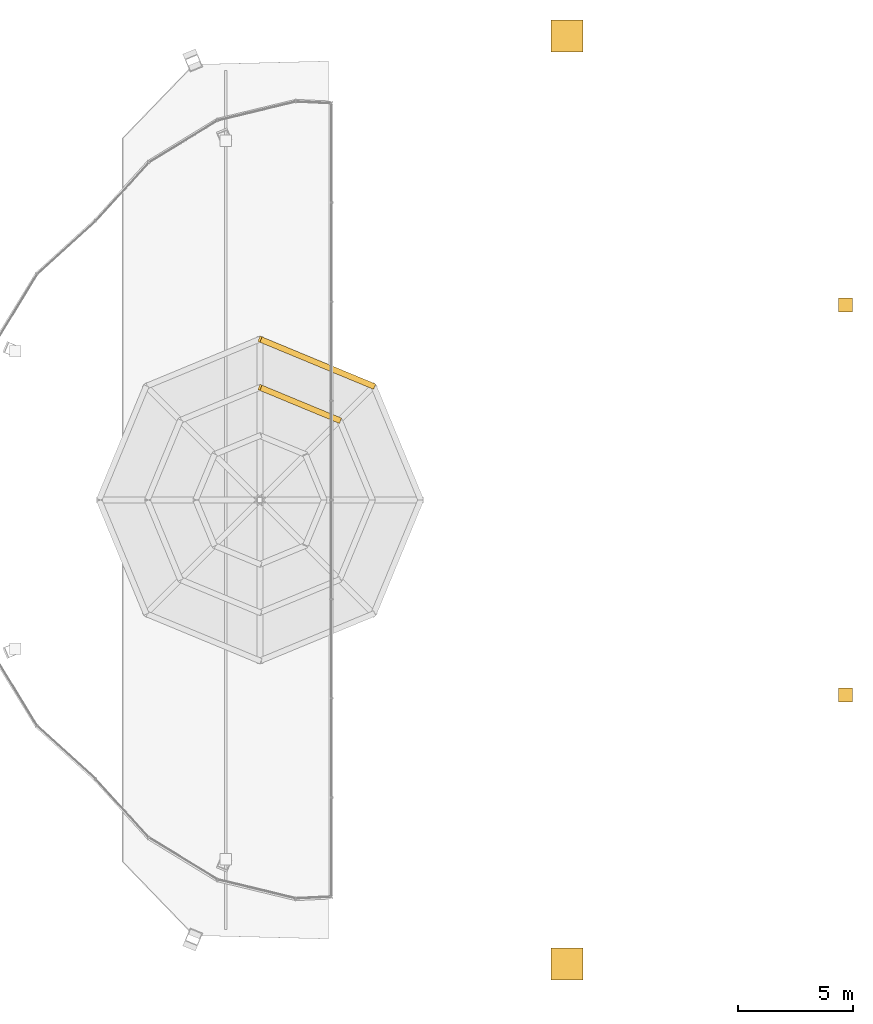
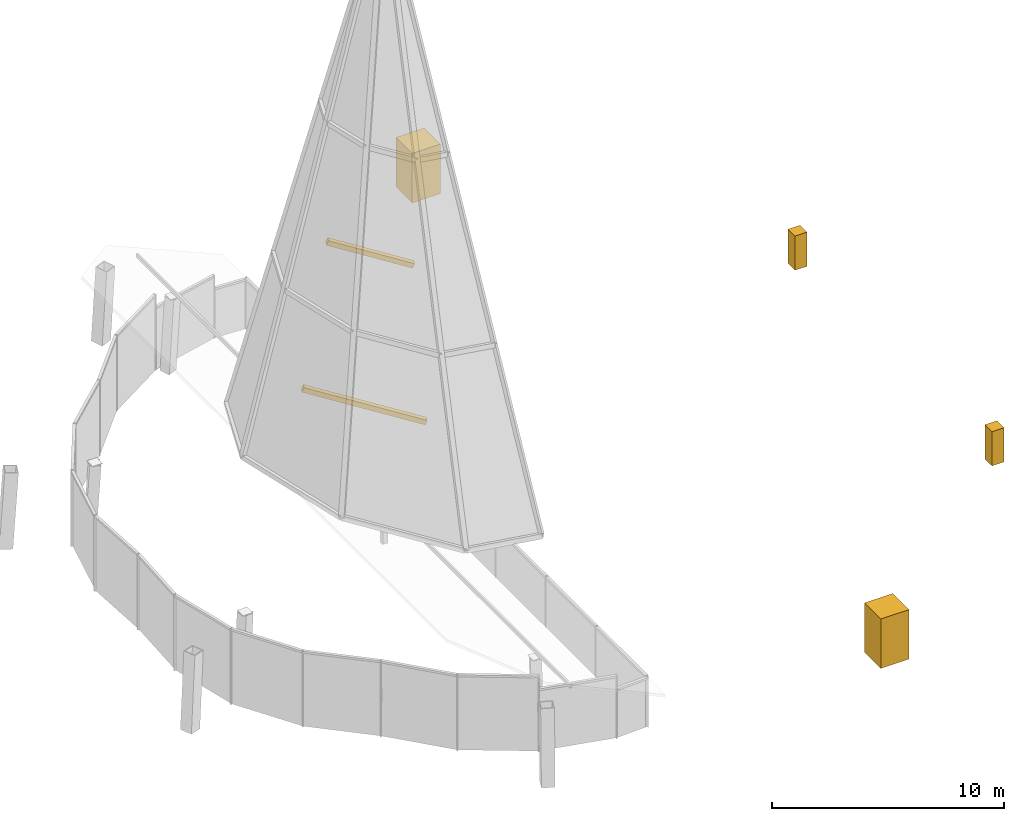
# One storey, part 16 of 16: 6 coverings.
"""IFC4 building model written with IfcOpenShell, lengths in metres."""

from ifc_helpers import new_model, si_unit, direction, frame, origin, origin_2d, place, context, subcontext, project, spatial, polyline, rectangle, outline, extrude, material, layer, layer_set, material_profile, profile_set, type_object, element, save


model = new_model("IFC4")

# Units and contexts
model_context = context("Model", 3, precision=1e-05, world=origin(), true_north=direction((0.0, 1.0)))
body_context = subcontext(model_context, "Body", "Model", "MODEL_VIEW")
ifc_project = project(units=[si_unit("LENGTHUNIT", "METRE"), si_unit("AREAUNIT", "SQUARE_METRE"), si_unit("VOLUMEUNIT", "CUBIC_METRE"), si_unit("PLANEANGLEUNIT", "RADIAN"), si_unit("MASSUNIT", "GRAM", prefix="KILO")], contexts=[model_context])

# Site, building, storey
site_placement = place(None, origin())
site = spatial("IfcSite", under=ifc_project, at=site_placement, CompositionType="ELEMENT")
building_placement = place(site_placement, origin())
building = spatial("IfcBuilding", under=site, at=building_placement, Name="Ogive Gate Towers", CompositionType="ELEMENT")
storey_placement = place(building_placement, frame((0.0, 0.0, 310.0)))
storey = spatial("IfcBuildingStorey", under=building, at=storey_placement, Name="L73", CompositionType="ELEMENT", Elevation=310.0)

# Coverings
ifc_material = material(Name="Cast stone", Category="masonry")
ifc_material_profile = material_profile(ifc_material, rectangle(XDim=0.25, YDim=0.25, at=origin_2d()), Name="250 x 250 cast stone")
ifc_profile_set = profile_set([ifc_material_profile], Name="Cast stone")
covering_type_1 = type_object("IfcCoveringType", Name="Lantern rib 250 x 250", PredefinedType="CLADDING", material=ifc_profile_set)
covering_1_placement = place(storey_placement, frame((35.94970703125, 4.94970703125, 1.653564453125), z_axis=(-0.853820831271, 0.353674032801, 0.381974693678), x_axis=(-0.382692543205, -0.923875758625, 0.0)))
element("IfcCovering", 1, at=covering_1_placement, inside=storey, type_object=covering_type_1, Name="Lantern base rib", PredefinedType="CLADDING", context=body_context, shape_type="SweptSolid", body=[
    extrude(rectangle(XDim=0.25, YDim=0.25, at=origin_2d()), origin(), (0.0, 0.0, 1.0), 5.797119140625),
])
covering_2_placement = place(storey_placement, frame((34.46484375, 3.46484375, 11.31787109375), z_axis=(-0.853834992004, 0.353638816446, 0.381975645732), x_axis=(-0.38265460032, -0.923891474608, 0.0)))
element("IfcCovering", 2, at=covering_2_placement, inside=storey, type_object=covering_type_1, Name="Lantern hoop rib", PredefinedType="CLADDING", context=body_context, shape_type="SweptSolid", body=[
    extrude(rectangle(XDim=0.25, YDim=0.25, at=origin_2d()), origin(), (0.0, 0.0, 1.0), 4.057861328125),
])
ifc_layer_1 = layer(ifc_material, 2.60009765625)
ifc_layer_set_1 = layer_set([ifc_layer_1], Name="Pinnacle tier 1400")
covering_type_2 = type_object("IfcCoveringType", Name="Pinnacle tier 1400", PredefinedType="CLADDING", material=ifc_layer_set_1)
covering_3_placement = place(storey_placement, frame((0.0, 0.0, 1.609130859375)))
element("IfcCovering", 3, at=covering_3_placement, inside=storey, type_object=covering_type_2, Name="Crown pinnacle", PredefinedType="CLADDING", context=body_context, shape_type="SweptSolid", body=[
    extrude(outline(polyline([(45.063232421875, 20.890625), (43.6630859375, 20.890625), (43.6630859375, 19.490478515625), (45.063232421875, 19.490478515625), (45.063232421875, 20.890625)])), origin(), (0.0, 0.0, 1.0), 2.599853515625),
])
covering_4_placement = place(storey_placement, frame((0.0, 0.0, 1.609130859375)))
element("IfcCovering", 4, at=covering_4_placement, inside=storey, type_object=covering_type_2, Name="Crown pinnacle", PredefinedType="CLADDING", context=body_context, shape_type="SweptSolid", body=[
    extrude(outline(polyline([(45.063232421875, -19.490478515625), (43.6630859375, -19.490478515625), (43.6630859375, -20.890625), (45.063232421875, -20.890625), (45.063232421875, -19.490478515625)])), origin(), (0.0, 0.0, 1.0), 2.599853515625),
])
ifc_layer_2 = layer(ifc_material, 1.800048828125)
ifc_layer_set_2 = layer_set([ifc_layer_2], Name="Pinnacle tier 600")
covering_type_3 = type_object("IfcCoveringType", Name="Pinnacle tier 600", PredefinedType="CLADDING", material=ifc_layer_set_2)
covering_5_placement = place(storey_placement, frame((0.0, 0.0, 0.538330078125)))
element("IfcCovering", 5, at=covering_5_placement, inside=storey, type_object=covering_type_3, Name="Crown pinnacle", PredefinedType="CLADDING", context=body_context, shape_type="SweptSolid", body=[
    extrude(outline(polyline([(56.78466796875, 8.784912109375), (56.1845703125, 8.784912109375), (56.1845703125, 8.18505859375), (56.78466796875, 8.18505859375), (56.78466796875, 8.784912109375)])), origin(), (0.0, 0.0, 1.0), 1.800048828125),
])
covering_6_placement = place(storey_placement, frame((0.0, 0.0, 0.538330078125)))
element("IfcCovering", 6, at=covering_6_placement, inside=storey, type_object=covering_type_3, Name="Crown pinnacle", PredefinedType="CLADDING", context=body_context, shape_type="SweptSolid", body=[
    extrude(outline(polyline([(56.78466796875, -8.18505859375), (56.1845703125, -8.18505859375), (56.1845703125, -8.784912109375), (56.78466796875, -8.784912109375), (56.78466796875, -8.18505859375)])), origin(), (0.0, 0.0, 1.0), 1.800048828125),
])

save(model, "model.ifc")
